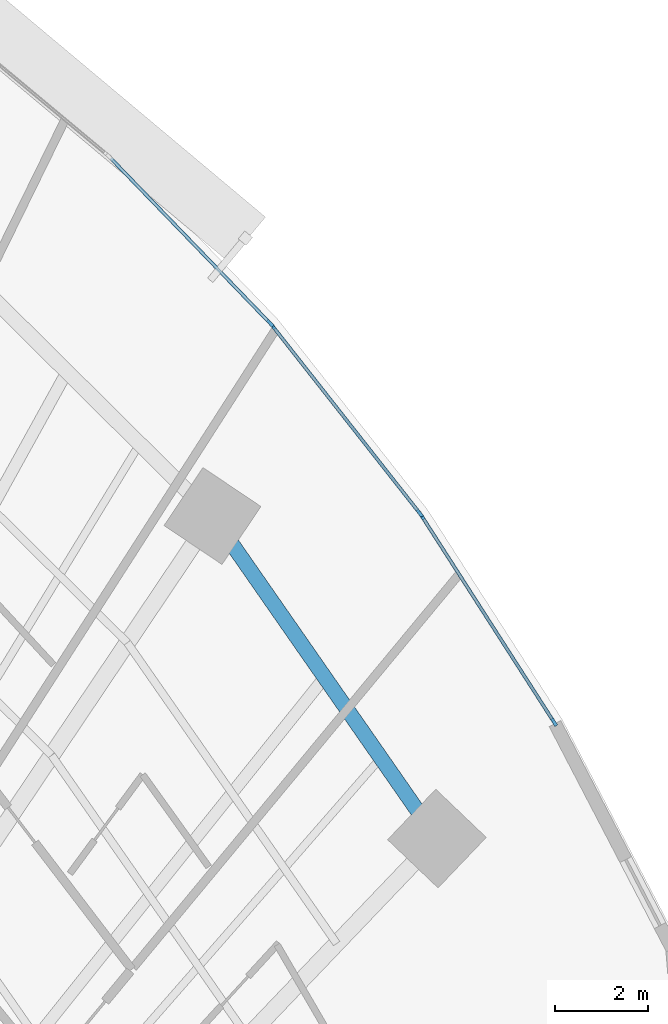
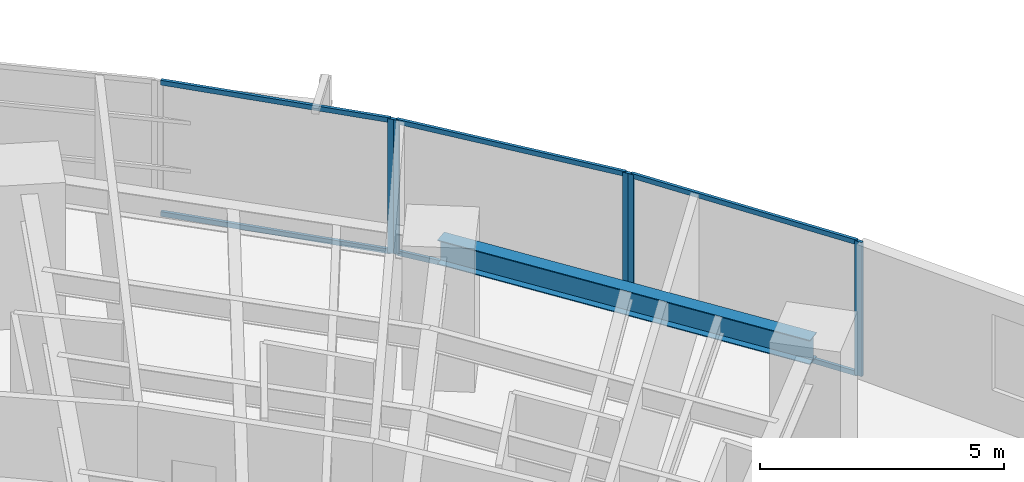
# One storey, part 8 of 17: 11 members, 1 beam, 3 elements without a shape of their own.
"""IFC4 building model written with IfcOpenShell, lengths in metres."""

from ifc_helpers import new_model, si_unit, direction, frame, origin, origin_2d, place, context, subcontext, project, spatial, rectangle, i_section, extrude, source, transform, mapped, material, layer, layer_set, material_profile, profile_set, type_object, type_shapes, element, aggregate, save


model = new_model("IFC4")

# Units and contexts
model_context = context("Model", 3, precision=1e-05, world=origin(), true_north=direction((0.0, 1.0)))
body_context = subcontext(model_context, "Body", "Model", "MODEL_VIEW")
ifc_project = project(units=[si_unit("LENGTHUNIT", "METRE"), si_unit("AREAUNIT", "SQUARE_METRE"), si_unit("VOLUMEUNIT", "CUBIC_METRE"), si_unit("PLANEANGLEUNIT", "RADIAN"), si_unit("MASSUNIT", "GRAM", prefix="KILO")], contexts=[model_context])

# Site, building, storey
site_placement = place(None, origin())
site = spatial("IfcSite", under=ifc_project, at=site_placement, CompositionType="ELEMENT")
building_placement = place(site_placement, origin())
building = spatial("IfcBuilding", under=site, at=building_placement, Name="Breltana Convention Tower", CompositionType="ELEMENT")
storey_placement = place(building_placement, frame((0.0, 0.0, 57.0)))
storey = spatial("IfcBuildingStorey", under=building, at=storey_placement, Name="L12", CompositionType="ELEMENT", Elevation=57.0)

# Beam
ifc_material_1 = material(Name="Steel ASTM A992 Grade 50", Category="steel")
ifc_material_profile_1 = material_profile(ifc_material_1, i_section(OverallWidth=0.323974609375, OverallDepth=0.611083984375, WebThickness=0.0126953125, FlangeThickness=0.01904296875, at=origin_2d()), Name="W24X104")
ifc_profile_set_1 = profile_set([ifc_material_profile_1], Name="Steel ASTM A992 Grade 50")
beam_type = type_object("IfcBeamType", Name="BM-SP-W24X104", PredefinedType="SPANDREL", material=ifc_profile_set_1)
shared_shape_1 = source(origin(), body_context, "Body", "SweptSolid", [
    extrude(i_section(OverallWidth=0.323974609375, OverallDepth=0.611083984375, WebThickness=0.0126953125, FlangeThickness=0.01904296875, at=origin_2d()), origin(), (0.0, 0.0, 1.0), 8.44970703125),
])
beam_placement = place(storey_placement, frame((75.166748046875, 62.43017578125, 3.054443359375), z_axis=(0.5711855381, -0.820820979913, 0.0), x_axis=(0.820820979913, 0.5711855381, 0.0)))
element("IfcBeam", 1, at=beam_placement, inside=storey, type_object=beam_type, Name="L12 Outer Spandrel Beam 10", PredefinedType="SPANDREL", context=body_context, shape_type="MappedRepresentation", body=[
    mapped(shared_shape_1, transform((0.0, 0.0, 0.0), scale=1.0)),
])

# Curtain wall, member
ifc_material_2 = material(Name="Aluminium Anodised Bronze Frame", Category="aluminium")
ifc_layer = layer(ifc_material_2, 0.199951171875, Name="Aluminium Anodised Bronze Frame")
ifc_layer_set = layer_set([ifc_layer], Name="Aluminium Anodised Bronze Frame")
curtain_wall_type = type_object("IfcCurtainWallType", Name="CW-SYS-2", PredefinedType="NOTDEFINED", material=ifc_layer_set)
curtain_wall_1_placement = place(storey_placement, origin())
curtain_wall_1 = element("IfcCurtainWall", 2, at=curtain_wall_1_placement, inside=storey, type_object=curtain_wall_type, Name="L12 outer double-skin inner glazing 16", PredefinedType="NOTDEFINED")
ifc_material_3 = material(Name="Aluminium Anodised Bronze", Category="aluminium")
ifc_material_profile_2 = material_profile(ifc_material_3, rectangle(XDim=0.070068359375, YDim=0.175048828125, at=origin_2d()), Name="CWM-70X175")
ifc_profile_set_2 = profile_set([ifc_material_profile_2], Name="Aluminium Anodised Bronze")
member_type_1 = type_object("IfcMemberType", Name="CWM-175", PredefinedType="MULLION", material=ifc_profile_set_2)
shared_shape_2 = source(origin(), body_context, "Body", "SweptSolid", [
    extrude(rectangle(XDim=0.070068359375, YDim=0.175048828125, at=origin_2d()), origin(), (0.0, 0.0, 1.0), 3.360107421875),
])
type_shapes(member_type_1, [shared_shape_2])
member_1_placement = place(storey_placement, frame((76.408935546875, 66.571533203125, 0.0), z_axis=(0.0, 0.0, 1.0), x_axis=(0.719386421003, 0.694610090106, 0.0)))
member_1 = element("IfcMember", 3, at=member_1_placement, type_object=member_type_1, Name="CW-02 mullion 2", PredefinedType="MULLION", context=body_context, shape_type="MappedRepresentation", body=[
    mapped(shared_shape_2, transform((0.0, 0.0, 0.0), scale=1.0)),
])

# Curtain wall, members
curtain_wall_2_placement = place(storey_placement, origin())
curtain_wall_2 = element("IfcCurtainWall", 4, at=curtain_wall_2_placement, inside=storey, type_object=curtain_wall_type, Name="L12 outer double-skin inner glazing 17", PredefinedType="NOTDEFINED")
member_2_placement = place(storey_placement, frame((76.454833984375, 66.518798828125, 0.0), z_axis=(0.0, 0.0, 1.0), x_axis=(0.786057080698, 0.618153917633, 0.0)))
member_2 = element("IfcMember", 5, at=member_2_placement, type_object=member_type_1, Name="CW-02 mullion 1", PredefinedType="MULLION", context=body_context, shape_type="MappedRepresentation", body=[
    mapped(shared_shape_2, transform((0.0, 0.0, 0.0), scale=1.0)),
])
member_3_placement = place(storey_placement, frame((79.62255859375, 62.49072265625, 0.0), z_axis=(0.0, 0.0, 1.0), x_axis=(0.786057080698, 0.618153917633, 0.0)))
member_3 = element("IfcMember", 6, at=member_3_placement, type_object=member_type_1, Name="CW-02 mullion 2", PredefinedType="MULLION", context=body_context, shape_type="MappedRepresentation", body=[
    mapped(shared_shape_2, transform((0.0, 0.0, 0.0), scale=1.0)),
])

curtain_wall_3_placement = place(storey_placement, origin())
curtain_wall_3 = element("IfcCurtainWall", 7, at=curtain_wall_3_placement, inside=storey, type_object=curtain_wall_type, Name="L12 outer double-skin inner glazing 18", PredefinedType="NOTDEFINED")
member_4_placement = place(storey_placement, frame((79.6630859375, 62.43359375, 0.0), z_axis=(0.0, 0.0, 1.0), x_axis=(0.841549039154, 0.540180724109, 0.0)))
member_4 = element("IfcMember", 8, at=member_4_placement, type_object=member_type_1, Name="CW-02 mullion 1", PredefinedType="MULLION", context=body_context, shape_type="MappedRepresentation", body=[
    mapped(shared_shape_2, transform((0.0, 0.0, 0.0), scale=1.0)),
])
member_5_placement = place(storey_placement, frame((82.512939453125, 57.993896484375, 0.0), z_axis=(0.0, 0.0, 1.0), x_axis=(0.841549039154, 0.540180724109, 0.0)))
member_5 = element("IfcMember", 9, at=member_5_placement, type_object=member_type_1, Name="CW-02 mullion 2", PredefinedType="MULLION", context=body_context, shape_type="MappedRepresentation", body=[
    mapped(shared_shape_2, transform((0.0, 0.0, 0.0), scale=1.0)),
])

# Member
ifc_material_profile_3 = material_profile(ifc_material_3, rectangle(XDim=0.070068359375, YDim=0.1201171875, at=origin_2d()), Name="CWT-70X120")
ifc_profile_set_3 = profile_set([ifc_material_profile_3], Name="Aluminium Anodised Bronze")
member_type_2 = type_object("IfcMemberType", Name="CWT-120", PredefinedType="USERDEFINED", material=ifc_profile_set_3)
shared_shape_3 = source(origin(), body_context, "Body", "SweptSolid", [
    extrude(rectangle(XDim=0.070068359375, YDim=0.1201171875, at=origin_2d()), origin(), (0.0, 0.0, 1.0), 5.0546875),
])
member_6_placement = place(storey_placement, frame((76.4765625, 66.491455078125, 0.034912109375), z_axis=(0.618135067667, -0.786071903913, 0.0), x_axis=(0.786071903913, 0.618135067667, 0.0)))
member_6 = element("IfcMember", 10, at=member_6_placement, type_object=member_type_2, Name="CW-02 transom 1.1", ObjectType="TRANSOM", PredefinedType="USERDEFINED", context=body_context, shape_type="MappedRepresentation", body=[
    mapped(shared_shape_3, transform((0.0, 0.0, 0.0), scale=1.0)),
])

member_7_placement = place(storey_placement, frame((76.4765625, 66.491455078125, 3.324951171875), z_axis=(0.618135067667, -0.786071903913, 0.0), x_axis=(0.786071903913, 0.618135067667, 0.0)))
member_7 = element("IfcMember", 11, at=member_7_placement, type_object=member_type_2, Name="CW-02 transom 1.2", ObjectType="TRANSOM", PredefinedType="USERDEFINED", context=body_context, shape_type="MappedRepresentation", body=[
    mapped(shared_shape_3, transform((0.0, 0.0, 0.0), scale=1.0)),
])

aggregate(curtain_wall_2, [member_2, member_3, member_6, member_7])

shared_shape_4 = source(origin(), body_context, "Body", "SweptSolid", [
    extrude(rectangle(XDim=0.070068359375, YDim=0.1201171875, at=origin_2d()), origin(), (0.0, 0.0, 1.0), 4.901123046875),
])
member_8_placement = place(storey_placement, frame((72.980224609375, 70.12255859375, 0.034912109375), z_axis=(0.6945945137, -0.719401460617, 0.0), x_axis=(0.719401460617, 0.6945945137, 0.0)))
member_8 = element("IfcMember", 12, at=member_8_placement, type_object=member_type_2, Name="CW-02 transom 1.1", ObjectType="TRANSOM", PredefinedType="USERDEFINED", context=body_context, shape_type="MappedRepresentation", body=[
    mapped(shared_shape_4, transform((0.0, 0.0, 0.0), scale=1.0)),
])

member_9_placement = place(storey_placement, frame((72.980224609375, 70.12255859375, 3.324951171875), z_axis=(0.6945945137, -0.719401460617, 0.0), x_axis=(0.719401460617, 0.6945945137, 0.0)))
member_9 = element("IfcMember", 13, at=member_9_placement, type_object=member_type_2, Name="CW-02 transom 1.2", ObjectType="TRANSOM", PredefinedType="USERDEFINED", context=body_context, shape_type="MappedRepresentation", body=[
    mapped(shared_shape_4, transform((0.0, 0.0, 0.0), scale=1.0)),
])

aggregate(curtain_wall_1, [member_1, member_8, member_9])

shared_shape_5 = source(origin(), body_context, "Body", "SweptSolid", [
    extrude(rectangle(XDim=0.070068359375, YDim=0.1201171875, at=origin_2d()), origin(), (0.0, 0.0, 1.0), 5.205810546875),
])
member_10_placement = place(storey_placement, frame((79.68212890625, 62.404296875, 0.034912109375), z_axis=(0.540179102764, -0.841550079875, 0.0), x_axis=(0.841550079875, 0.540179102764, 0.0)))
member_10 = element("IfcMember", 14, at=member_10_placement, type_object=member_type_2, Name="CW-02 transom 1.1", ObjectType="TRANSOM", PredefinedType="USERDEFINED", context=body_context, shape_type="MappedRepresentation", body=[
    mapped(shared_shape_5, transform((0.0, 0.0, 0.0), scale=1.0)),
])

member_11_placement = place(storey_placement, frame((79.68212890625, 62.404296875, 3.324951171875), z_axis=(0.540179102764, -0.841550079875, 0.0), x_axis=(0.841550079875, 0.540179102764, 0.0)))
member_11 = element("IfcMember", 15, at=member_11_placement, type_object=member_type_2, Name="CW-02 transom 1.2", ObjectType="TRANSOM", PredefinedType="USERDEFINED", context=body_context, shape_type="MappedRepresentation", body=[
    mapped(shared_shape_5, transform((0.0, 0.0, 0.0), scale=1.0)),
])

aggregate(curtain_wall_3, [member_4, member_5, member_10, member_11])

save(model, "model.ifc")
